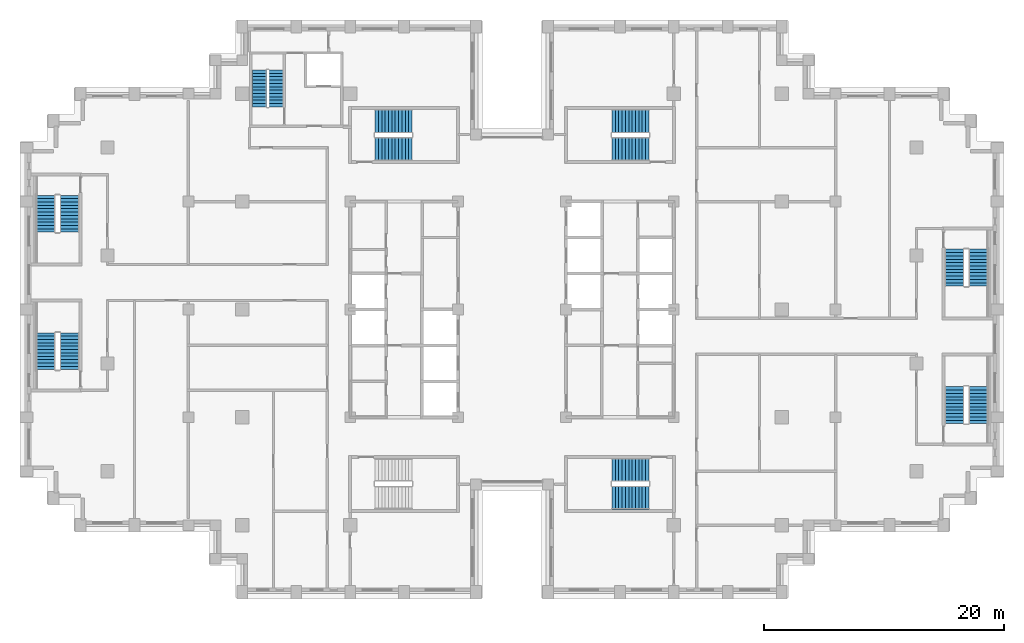
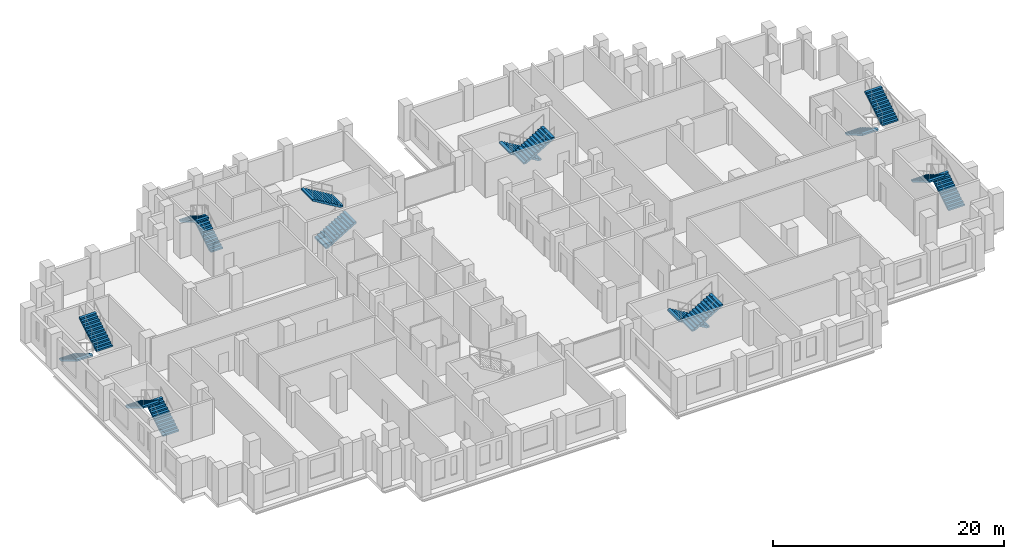
# One storey, part 13 of 15: 16 stair flights, 8 elements without a shape of their own.
"""IFC4 building model written with IfcOpenShell, lengths in metres."""

from ifc_helpers import new_model, si_unit, direction, frame, origin, place, context, subcontext, project, spatial, polyline, outline, extrude, material, type_object, element, aggregate, save


model = new_model("IFC4")

# Units and contexts
model_context = context("Model", 3, precision=1e-05, world=origin(), true_north=direction((0.0, 1.0)))
body_context = subcontext(model_context, "Body", "Model", "MODEL_VIEW")
ifc_project = project(units=[si_unit("LENGTHUNIT", "METRE"), si_unit("AREAUNIT", "SQUARE_METRE"), si_unit("VOLUMEUNIT", "CUBIC_METRE"), si_unit("PLANEANGLEUNIT", "RADIAN"), si_unit("MASSUNIT", "GRAM", prefix="KILO")], contexts=[model_context])

# Site, building, storey
site_placement = place(None, origin())
site = spatial("IfcSite", under=ifc_project, at=site_placement, CompositionType="ELEMENT")
building_placement = place(site_placement, origin())
building = spatial("IfcBuilding", under=site, at=building_placement, Name="Corbelhall Arena Tower", CompositionType="ELEMENT")
storey_placement = place(building_placement, frame((0.0, 0.0, 130.0)))
storey = spatial("IfcBuildingStorey", under=building, at=storey_placement, Name="L24", CompositionType="ELEMENT", Elevation=130.0)

# Stair, stair flights
ifc_material = material(Name="Concrete C40/50", Category="concrete")
stair_type = type_object("IfcStairType", Name="IN-ST-TOWER", PredefinedType="HALF_TURN_STAIR", material=ifc_material)
stair_1_placement = place(storey_placement, origin())
stair_1 = element("IfcStair", 1, at=stair_1_placement, inside=storey, type_object=stair_type, Name="L24 Exit stair ST1", PredefinedType="HALF_TURN_STAIR")
stair_flight_type = type_object("IfcStairFlightType", Name="IN-SFL-RC", PredefinedType="STRAIGHT", material=ifc_material)
stair_flight_1_placement = place(storey_placement, frame((-11.425048828125, 13.39990234375, 0.0), z_axis=(0.0, 0.0, 1.0), x_axis=(1.0, 0.0, 0.0)))
stair_flight_1 = element("IfcStairFlight", 2, at=stair_flight_1_placement, type_object=stair_flight_type, Name="ST1 flight 1", NumberOfRisers=12, NumberOfTreads=11, PredefinedType="STRAIGHT", RiserHeight=0.166666667, TreadLength=0.28, context=body_context, shape_type="SweptSolid", body=[
    extrude(outline(polyline([(0.0, 0.0), (0.0, 0.166748046875), (0.280029296875, 0.166748046875), (0.280029296875, 0.333251953125), (0.56005859375, 0.333251953125), (0.56005859375, 0.5), (0.840087890625, 0.5), (0.840087890625, 0.666748046875), (1.1201171875, 0.666748046875), (1.1201171875, 0.833251953125), (1.39990234375, 0.833251953125), (1.39990234375, 1.0), (1.679931640625, 1.0), (1.679931640625, 1.166748046875), (1.9599609375, 1.166748046875), (1.9599609375, 1.333251953125), (2.239990234375, 1.333251953125), (2.239990234375, 1.5), (2.52001953125, 1.5), (2.52001953125, 1.666748046875), (2.800048828125, 1.666748046875), (2.800048828125, 1.833251953125), (3.080078125, 1.833251953125), (3.080078125, 2.0), (3.080078125, 1.658935546875), (0.29296875, 0.0), (0.0, 0.0)])), frame((0.0, 0.97509765625, 0.0), z_axis=(0.0, -1.0, 0.0), x_axis=(1.0, 0.0, 0.0)), (0.0, 0.0, 1.0), 0.449951171875),
    extrude(outline(polyline([(0.0, 0.0), (0.0, 0.166748046875), (0.280029296875, 0.166748046875), (0.280029296875, 0.333251953125), (0.56005859375, 0.333251953125), (0.56005859375, 0.5), (0.840087890625, 0.5), (0.840087890625, 0.666748046875), (1.1201171875, 0.666748046875), (1.1201171875, 0.833251953125), (1.39990234375, 0.833251953125), (1.39990234375, 1.0), (1.679931640625, 1.0), (1.679931640625, 1.166748046875), (1.9599609375, 1.166748046875), (1.9599609375, 1.333251953125), (2.239990234375, 1.333251953125), (2.239990234375, 1.5), (2.52001953125, 1.5), (2.52001953125, 1.666748046875), (2.800048828125, 1.666748046875), (2.800048828125, 1.833251953125), (3.080078125, 1.833251953125), (3.080078125, 2.0), (3.080078125, 1.658935546875), (0.29296875, 0.0), (0.0, 0.0)])), frame((0.0, 0.52099609375, 0.0), z_axis=(0.0, -1.0, 0.0), x_axis=(1.0, 0.0, 0.0)), (0.0, 0.0, 1.0), 1.0419921875),
    extrude(outline(polyline([(0.0, 0.0), (0.0, 0.166748046875), (0.280029296875, 0.166748046875), (0.280029296875, 0.333251953125), (0.56005859375, 0.333251953125), (0.56005859375, 0.5), (0.840087890625, 0.5), (0.840087890625, 0.666748046875), (1.1201171875, 0.666748046875), (1.1201171875, 0.833251953125), (1.39990234375, 0.833251953125), (1.39990234375, 1.0), (1.679931640625, 1.0), (1.679931640625, 1.166748046875), (1.9599609375, 1.166748046875), (1.9599609375, 1.333251953125), (2.239990234375, 1.333251953125), (2.239990234375, 1.5), (2.52001953125, 1.5), (2.52001953125, 1.666748046875), (2.800048828125, 1.666748046875), (2.800048828125, 1.833251953125), (3.080078125, 1.833251953125), (3.080078125, 2.0), (3.080078125, 1.658935546875), (0.29296875, 0.0), (0.0, 0.0)])), frame((0.0, -0.52490234375, 0.0), z_axis=(0.0, -1.0, 0.0), x_axis=(1.0, 0.0, 0.0)), (0.0, 0.0, 1.0), 0.449951171875),
])
stair_flight_2_placement = place(storey_placement, frame((-8.344970703125, 15.699951171875, 2.0), z_axis=(0.0, 0.0, 1.0), x_axis=(-1.0, 0.0, 0.0)))
stair_flight_2 = element("IfcStairFlight", 3, at=stair_flight_2_placement, type_object=stair_flight_type, Name="ST1 flight 2", NumberOfRisers=12, NumberOfTreads=11, PredefinedType="STRAIGHT", RiserHeight=0.166666667, TreadLength=0.28, context=body_context, shape_type="SweptSolid", body=[
    extrude(outline(polyline([(0.0, 0.0), (0.0, 0.166748046875), (0.280029296875, 0.166748046875), (0.280029296875, 0.333251953125), (0.56005859375, 0.333251953125), (0.56005859375, 0.5), (0.840087890625, 0.5), (0.840087890625, 0.666748046875), (1.1201171875, 0.666748046875), (1.1201171875, 0.833251953125), (1.39990234375, 0.833251953125), (1.39990234375, 1.0), (1.679931640625, 1.0), (1.679931640625, 1.166748046875), (1.9599609375, 1.166748046875), (1.9599609375, 1.333251953125), (2.239990234375, 1.333251953125), (2.239990234375, 1.5), (2.52001953125, 1.5), (2.52001953125, 1.666748046875), (2.800048828125, 1.666748046875), (2.800048828125, 1.833251953125), (3.080078125, 1.833251953125), (3.080078125, 2.0), (3.080078125, 1.658935546875), (0.29296875, 0.0), (0.0, 0.0)])), frame((0.0, 0.97509765625, 0.0), z_axis=(0.0, -1.0, 0.0), x_axis=(1.0, 0.0, 0.0)), (0.0, 0.0, 1.0), 0.449951171875),
    extrude(outline(polyline([(0.0, 0.0), (0.0, 0.166748046875), (0.280029296875, 0.166748046875), (0.280029296875, 0.333251953125), (0.56005859375, 0.333251953125), (0.56005859375, 0.5), (0.840087890625, 0.5), (0.840087890625, 0.666748046875), (1.1201171875, 0.666748046875), (1.1201171875, 0.833251953125), (1.39990234375, 0.833251953125), (1.39990234375, 1.0), (1.679931640625, 1.0), (1.679931640625, 1.166748046875), (1.9599609375, 1.166748046875), (1.9599609375, 1.333251953125), (2.239990234375, 1.333251953125), (2.239990234375, 1.5), (2.52001953125, 1.5), (2.52001953125, 1.666748046875), (2.800048828125, 1.666748046875), (2.800048828125, 1.833251953125), (3.080078125, 1.833251953125), (3.080078125, 2.0), (3.080078125, 1.658935546875), (0.29296875, 0.0), (0.0, 0.0)])), frame((0.0, 0.52099609375, 0.0), z_axis=(0.0, -1.0, 0.0), x_axis=(1.0, 0.0, 0.0)), (0.0, 0.0, 1.0), 1.0419921875),
    extrude(outline(polyline([(0.0, 0.0), (0.0, 0.166748046875), (0.280029296875, 0.166748046875), (0.280029296875, 0.333251953125), (0.56005859375, 0.333251953125), (0.56005859375, 0.5), (0.840087890625, 0.5), (0.840087890625, 0.666748046875), (1.1201171875, 0.666748046875), (1.1201171875, 0.833251953125), (1.39990234375, 0.833251953125), (1.39990234375, 1.0), (1.679931640625, 1.0), (1.679931640625, 1.166748046875), (1.9599609375, 1.166748046875), (1.9599609375, 1.333251953125), (2.239990234375, 1.333251953125), (2.239990234375, 1.5), (2.52001953125, 1.5), (2.52001953125, 1.666748046875), (2.800048828125, 1.666748046875), (2.800048828125, 1.833251953125), (3.080078125, 1.833251953125), (3.080078125, 2.0), (3.080078125, 1.658935546875), (0.29296875, 0.0), (0.0, 0.0)])), frame((0.0, -0.52490234375, 0.0), z_axis=(0.0, -1.0, 0.0), x_axis=(1.0, 0.0, 0.0)), (0.0, 0.0, 1.0), 0.449951171875),
])
aggregate(stair_1, [stair_flight_1, stair_flight_2])

stair_2_placement = place(storey_placement, origin())
stair_2 = element("IfcStair", 4, at=stair_2_placement, inside=storey, type_object=stair_type, Name="L24 Exit stair ST3", PredefinedType="HALF_TURN_STAIR")
stair_flight_3_placement = place(storey_placement, frame((11.425048828125, 15.699951171875, 0.0), z_axis=(0.0, 0.0, 1.0), x_axis=(-1.0, 0.0, 0.0)))
stair_flight_3 = element("IfcStairFlight", 5, at=stair_flight_3_placement, type_object=stair_flight_type, Name="ST3 flight 1", NumberOfRisers=12, NumberOfTreads=11, PredefinedType="STRAIGHT", RiserHeight=0.166666667, TreadLength=0.28, context=body_context, shape_type="SweptSolid", body=[
    extrude(outline(polyline([(0.0, 0.0), (0.0, 0.166748046875), (0.280029296875, 0.166748046875), (0.280029296875, 0.333251953125), (0.56005859375, 0.333251953125), (0.56005859375, 0.5), (0.840087890625, 0.5), (0.840087890625, 0.666748046875), (1.1201171875, 0.666748046875), (1.1201171875, 0.833251953125), (1.39990234375, 0.833251953125), (1.39990234375, 1.0), (1.679931640625, 1.0), (1.679931640625, 1.166748046875), (1.9599609375, 1.166748046875), (1.9599609375, 1.333251953125), (2.239990234375, 1.333251953125), (2.239990234375, 1.5), (2.52001953125, 1.5), (2.52001953125, 1.666748046875), (2.800048828125, 1.666748046875), (2.800048828125, 1.833251953125), (3.080078125, 1.833251953125), (3.080078125, 2.0), (3.080078125, 1.658935546875), (0.29296875, 0.0), (0.0, 0.0)])), frame((0.0, 0.97509765625, 0.0), z_axis=(0.0, -1.0, 0.0), x_axis=(1.0, 0.0, 0.0)), (0.0, 0.0, 1.0), 0.449951171875),
    extrude(outline(polyline([(0.0, 0.0), (0.0, 0.166748046875), (0.280029296875, 0.166748046875), (0.280029296875, 0.333251953125), (0.56005859375, 0.333251953125), (0.56005859375, 0.5), (0.840087890625, 0.5), (0.840087890625, 0.666748046875), (1.1201171875, 0.666748046875), (1.1201171875, 0.833251953125), (1.39990234375, 0.833251953125), (1.39990234375, 1.0), (1.679931640625, 1.0), (1.679931640625, 1.166748046875), (1.9599609375, 1.166748046875), (1.9599609375, 1.333251953125), (2.239990234375, 1.333251953125), (2.239990234375, 1.5), (2.52001953125, 1.5), (2.52001953125, 1.666748046875), (2.800048828125, 1.666748046875), (2.800048828125, 1.833251953125), (3.080078125, 1.833251953125), (3.080078125, 2.0), (3.080078125, 1.658935546875), (0.29296875, 0.0), (0.0, 0.0)])), frame((0.0, 0.52099609375, 0.0), z_axis=(0.0, -1.0, 0.0), x_axis=(1.0, 0.0, 0.0)), (0.0, 0.0, 1.0), 1.0419921875),
    extrude(outline(polyline([(0.0, 0.0), (0.0, 0.166748046875), (0.280029296875, 0.166748046875), (0.280029296875, 0.333251953125), (0.56005859375, 0.333251953125), (0.56005859375, 0.5), (0.840087890625, 0.5), (0.840087890625, 0.666748046875), (1.1201171875, 0.666748046875), (1.1201171875, 0.833251953125), (1.39990234375, 0.833251953125), (1.39990234375, 1.0), (1.679931640625, 1.0), (1.679931640625, 1.166748046875), (1.9599609375, 1.166748046875), (1.9599609375, 1.333251953125), (2.239990234375, 1.333251953125), (2.239990234375, 1.5), (2.52001953125, 1.5), (2.52001953125, 1.666748046875), (2.800048828125, 1.666748046875), (2.800048828125, 1.833251953125), (3.080078125, 1.833251953125), (3.080078125, 2.0), (3.080078125, 1.658935546875), (0.29296875, 0.0), (0.0, 0.0)])), frame((0.0, -0.52490234375, 0.0), z_axis=(0.0, -1.0, 0.0), x_axis=(1.0, 0.0, 0.0)), (0.0, 0.0, 1.0), 0.449951171875),
])
stair_flight_4_placement = place(storey_placement, frame((8.344970703125, 13.39990234375, 2.0), z_axis=(0.0, 0.0, 1.0), x_axis=(1.0, 0.0, 0.0)))
stair_flight_4 = element("IfcStairFlight", 6, at=stair_flight_4_placement, type_object=stair_flight_type, Name="ST3 flight 2", NumberOfRisers=12, NumberOfTreads=11, PredefinedType="STRAIGHT", RiserHeight=0.166666667, TreadLength=0.28, context=body_context, shape_type="SweptSolid", body=[
    extrude(outline(polyline([(0.0, 0.0), (0.0, 0.166748046875), (0.280029296875, 0.166748046875), (0.280029296875, 0.333251953125), (0.56005859375, 0.333251953125), (0.56005859375, 0.5), (0.840087890625, 0.5), (0.840087890625, 0.666748046875), (1.1201171875, 0.666748046875), (1.1201171875, 0.833251953125), (1.39990234375, 0.833251953125), (1.39990234375, 1.0), (1.679931640625, 1.0), (1.679931640625, 1.166748046875), (1.9599609375, 1.166748046875), (1.9599609375, 1.333251953125), (2.239990234375, 1.333251953125), (2.239990234375, 1.5), (2.52001953125, 1.5), (2.52001953125, 1.666748046875), (2.800048828125, 1.666748046875), (2.800048828125, 1.833251953125), (3.080078125, 1.833251953125), (3.080078125, 2.0), (3.080078125, 1.658935546875), (0.29296875, 0.0), (0.0, 0.0)])), frame((0.0, 0.97509765625, 0.0), z_axis=(0.0, -1.0, 0.0), x_axis=(1.0, 0.0, 0.0)), (0.0, 0.0, 1.0), 0.449951171875),
    extrude(outline(polyline([(0.0, 0.0), (0.0, 0.166748046875), (0.280029296875, 0.166748046875), (0.280029296875, 0.333251953125), (0.56005859375, 0.333251953125), (0.56005859375, 0.5), (0.840087890625, 0.5), (0.840087890625, 0.666748046875), (1.1201171875, 0.666748046875), (1.1201171875, 0.833251953125), (1.39990234375, 0.833251953125), (1.39990234375, 1.0), (1.679931640625, 1.0), (1.679931640625, 1.166748046875), (1.9599609375, 1.166748046875), (1.9599609375, 1.333251953125), (2.239990234375, 1.333251953125), (2.239990234375, 1.5), (2.52001953125, 1.5), (2.52001953125, 1.666748046875), (2.800048828125, 1.666748046875), (2.800048828125, 1.833251953125), (3.080078125, 1.833251953125), (3.080078125, 2.0), (3.080078125, 1.658935546875), (0.29296875, 0.0), (0.0, 0.0)])), frame((0.0, 0.52099609375, 0.0), z_axis=(0.0, -1.0, 0.0), x_axis=(1.0, 0.0, 0.0)), (0.0, 0.0, 1.0), 1.0419921875),
    extrude(outline(polyline([(0.0, 0.0), (0.0, 0.166748046875), (0.280029296875, 0.166748046875), (0.280029296875, 0.333251953125), (0.56005859375, 0.333251953125), (0.56005859375, 0.5), (0.840087890625, 0.5), (0.840087890625, 0.666748046875), (1.1201171875, 0.666748046875), (1.1201171875, 0.833251953125), (1.39990234375, 0.833251953125), (1.39990234375, 1.0), (1.679931640625, 1.0), (1.679931640625, 1.166748046875), (1.9599609375, 1.166748046875), (1.9599609375, 1.333251953125), (2.239990234375, 1.333251953125), (2.239990234375, 1.5), (2.52001953125, 1.5), (2.52001953125, 1.666748046875), (2.800048828125, 1.666748046875), (2.800048828125, 1.833251953125), (3.080078125, 1.833251953125), (3.080078125, 2.0), (3.080078125, 1.658935546875), (0.29296875, 0.0), (0.0, 0.0)])), frame((0.0, -0.52490234375, 0.0), z_axis=(0.0, -1.0, 0.0), x_axis=(1.0, 0.0, 0.0)), (0.0, 0.0, 1.0), 0.449951171875),
])
aggregate(stair_2, [stair_flight_3, stair_flight_4])

stair_3_placement = place(storey_placement, origin())
stair_3 = element("IfcStair", 7, at=stair_3_placement, inside=storey, type_object=stair_type, Name="L24 Exit stair ST4", PredefinedType="HALF_TURN_STAIR")
stair_flight_5_placement = place(storey_placement, frame((11.425048828125, -13.39990234375, 0.0), z_axis=(0.0, 0.0, 1.0), x_axis=(-1.0, 0.0, 0.0)))
stair_flight_5 = element("IfcStairFlight", 8, at=stair_flight_5_placement, type_object=stair_flight_type, Name="ST4 flight 1", NumberOfRisers=12, NumberOfTreads=11, PredefinedType="STRAIGHT", RiserHeight=0.166666667, TreadLength=0.28, context=body_context, shape_type="SweptSolid", body=[
    extrude(outline(polyline([(0.0, 0.0), (0.0, 0.166748046875), (0.280029296875, 0.166748046875), (0.280029296875, 0.333251953125), (0.56005859375, 0.333251953125), (0.56005859375, 0.5), (0.840087890625, 0.5), (0.840087890625, 0.666748046875), (1.1201171875, 0.666748046875), (1.1201171875, 0.833251953125), (1.39990234375, 0.833251953125), (1.39990234375, 1.0), (1.679931640625, 1.0), (1.679931640625, 1.166748046875), (1.9599609375, 1.166748046875), (1.9599609375, 1.333251953125), (2.239990234375, 1.333251953125), (2.239990234375, 1.5), (2.52001953125, 1.5), (2.52001953125, 1.666748046875), (2.800048828125, 1.666748046875), (2.800048828125, 1.833251953125), (3.080078125, 1.833251953125), (3.080078125, 2.0), (3.080078125, 1.658935546875), (0.29296875, 0.0), (0.0, 0.0)])), frame((0.0, 0.97509765625, 0.0), z_axis=(0.0, -1.0, 0.0), x_axis=(1.0, 0.0, 0.0)), (0.0, 0.0, 1.0), 0.449951171875),
    extrude(outline(polyline([(0.0, 0.0), (0.0, 0.166748046875), (0.280029296875, 0.166748046875), (0.280029296875, 0.333251953125), (0.56005859375, 0.333251953125), (0.56005859375, 0.5), (0.840087890625, 0.5), (0.840087890625, 0.666748046875), (1.1201171875, 0.666748046875), (1.1201171875, 0.833251953125), (1.39990234375, 0.833251953125), (1.39990234375, 1.0), (1.679931640625, 1.0), (1.679931640625, 1.166748046875), (1.9599609375, 1.166748046875), (1.9599609375, 1.333251953125), (2.239990234375, 1.333251953125), (2.239990234375, 1.5), (2.52001953125, 1.5), (2.52001953125, 1.666748046875), (2.800048828125, 1.666748046875), (2.800048828125, 1.833251953125), (3.080078125, 1.833251953125), (3.080078125, 2.0), (3.080078125, 1.658935546875), (0.29296875, 0.0), (0.0, 0.0)])), frame((0.0, 0.52099609375, 0.0), z_axis=(0.0, -1.0, 0.0), x_axis=(1.0, 0.0, 0.0)), (0.0, 0.0, 1.0), 1.0419921875),
    extrude(outline(polyline([(0.0, 0.0), (0.0, 0.166748046875), (0.280029296875, 0.166748046875), (0.280029296875, 0.333251953125), (0.56005859375, 0.333251953125), (0.56005859375, 0.5), (0.840087890625, 0.5), (0.840087890625, 0.666748046875), (1.1201171875, 0.666748046875), (1.1201171875, 0.833251953125), (1.39990234375, 0.833251953125), (1.39990234375, 1.0), (1.679931640625, 1.0), (1.679931640625, 1.166748046875), (1.9599609375, 1.166748046875), (1.9599609375, 1.333251953125), (2.239990234375, 1.333251953125), (2.239990234375, 1.5), (2.52001953125, 1.5), (2.52001953125, 1.666748046875), (2.800048828125, 1.666748046875), (2.800048828125, 1.833251953125), (3.080078125, 1.833251953125), (3.080078125, 2.0), (3.080078125, 1.658935546875), (0.29296875, 0.0), (0.0, 0.0)])), frame((0.0, -0.52490234375, 0.0), z_axis=(0.0, -1.0, 0.0), x_axis=(1.0, 0.0, 0.0)), (0.0, 0.0, 1.0), 0.449951171875),
])
stair_flight_6_placement = place(storey_placement, frame((8.344970703125, -15.699951171875, 2.0), z_axis=(0.0, 0.0, 1.0), x_axis=(1.0, 0.0, 0.0)))
stair_flight_6 = element("IfcStairFlight", 9, at=stair_flight_6_placement, type_object=stair_flight_type, Name="ST4 flight 2", NumberOfRisers=12, NumberOfTreads=11, PredefinedType="STRAIGHT", RiserHeight=0.166666667, TreadLength=0.28, context=body_context, shape_type="SweptSolid", body=[
    extrude(outline(polyline([(0.0, 0.0), (0.0, 0.166748046875), (0.280029296875, 0.166748046875), (0.280029296875, 0.333251953125), (0.56005859375, 0.333251953125), (0.56005859375, 0.5), (0.840087890625, 0.5), (0.840087890625, 0.666748046875), (1.1201171875, 0.666748046875), (1.1201171875, 0.833251953125), (1.39990234375, 0.833251953125), (1.39990234375, 1.0), (1.679931640625, 1.0), (1.679931640625, 1.166748046875), (1.9599609375, 1.166748046875), (1.9599609375, 1.333251953125), (2.239990234375, 1.333251953125), (2.239990234375, 1.5), (2.52001953125, 1.5), (2.52001953125, 1.666748046875), (2.800048828125, 1.666748046875), (2.800048828125, 1.833251953125), (3.080078125, 1.833251953125), (3.080078125, 2.0), (3.080078125, 1.658935546875), (0.29296875, 0.0), (0.0, 0.0)])), frame((0.0, 0.97509765625, 0.0), z_axis=(0.0, -1.0, 0.0), x_axis=(1.0, 0.0, 0.0)), (0.0, 0.0, 1.0), 0.449951171875),
    extrude(outline(polyline([(0.0, 0.0), (0.0, 0.166748046875), (0.280029296875, 0.166748046875), (0.280029296875, 0.333251953125), (0.56005859375, 0.333251953125), (0.56005859375, 0.5), (0.840087890625, 0.5), (0.840087890625, 0.666748046875), (1.1201171875, 0.666748046875), (1.1201171875, 0.833251953125), (1.39990234375, 0.833251953125), (1.39990234375, 1.0), (1.679931640625, 1.0), (1.679931640625, 1.166748046875), (1.9599609375, 1.166748046875), (1.9599609375, 1.333251953125), (2.239990234375, 1.333251953125), (2.239990234375, 1.5), (2.52001953125, 1.5), (2.52001953125, 1.666748046875), (2.800048828125, 1.666748046875), (2.800048828125, 1.833251953125), (3.080078125, 1.833251953125), (3.080078125, 2.0), (3.080078125, 1.658935546875), (0.29296875, 0.0), (0.0, 0.0)])), frame((0.0, 0.52099609375, 0.0), z_axis=(0.0, -1.0, 0.0), x_axis=(1.0, 0.0, 0.0)), (0.0, 0.0, 1.0), 1.0419921875),
    extrude(outline(polyline([(0.0, 0.0), (0.0, 0.166748046875), (0.280029296875, 0.166748046875), (0.280029296875, 0.333251953125), (0.56005859375, 0.333251953125), (0.56005859375, 0.5), (0.840087890625, 0.5), (0.840087890625, 0.666748046875), (1.1201171875, 0.666748046875), (1.1201171875, 0.833251953125), (1.39990234375, 0.833251953125), (1.39990234375, 1.0), (1.679931640625, 1.0), (1.679931640625, 1.166748046875), (1.9599609375, 1.166748046875), (1.9599609375, 1.333251953125), (2.239990234375, 1.333251953125), (2.239990234375, 1.5), (2.52001953125, 1.5), (2.52001953125, 1.666748046875), (2.800048828125, 1.666748046875), (2.800048828125, 1.833251953125), (3.080078125, 1.833251953125), (3.080078125, 2.0), (3.080078125, 1.658935546875), (0.29296875, 0.0), (0.0, 0.0)])), frame((0.0, -0.52490234375, 0.0), z_axis=(0.0, -1.0, 0.0), x_axis=(1.0, 0.0, 0.0)), (0.0, 0.0, 1.0), 0.449951171875),
])
aggregate(stair_3, [stair_flight_5, stair_flight_6])

stair_4_placement = place(storey_placement, origin())
stair_4 = element("IfcStair", 10, at=stair_4_placement, inside=storey, type_object=stair_type, Name="L24 Exit stair SC1", PredefinedType="HALF_TURN_STAIR")
stair_flight_7_placement = place(storey_placement, frame((-38.89990234375, 9.52490234375, 0.0), z_axis=(0.0, 0.0, 1.0), x_axis=(0.0, -1.0, 0.0)))
stair_flight_7 = element("IfcStairFlight", 11, at=stair_flight_7_placement, type_object=stair_flight_type, Name="SC1 flight 1", NumberOfRisers=12, NumberOfTreads=11, PredefinedType="STRAIGHT", RiserHeight=0.166666667, TreadLength=0.28, context=body_context, shape_type="SweptSolid", body=[
    extrude(outline(polyline([(0.0, 0.0), (0.0, 0.166748046875), (0.280029296875, 0.166748046875), (0.280029296875, 0.333251953125), (0.56005859375, 0.333251953125), (0.56005859375, 0.5), (0.840087890625, 0.5), (0.840087890625, 0.666748046875), (1.1201171875, 0.666748046875), (1.1201171875, 0.833251953125), (1.39990234375, 0.833251953125), (1.39990234375, 1.0), (1.679931640625, 1.0), (1.679931640625, 1.166748046875), (1.9599609375, 1.166748046875), (1.9599609375, 1.333251953125), (2.239990234375, 1.333251953125), (2.239990234375, 1.5), (2.52001953125, 1.5), (2.52001953125, 1.666748046875), (2.800048828125, 1.666748046875), (2.800048828125, 1.833251953125), (3.080078125, 1.833251953125), (3.080078125, 2.0), (3.080078125, 1.658935546875), (0.29296875, 0.0), (0.0, 0.0)])), frame((0.0, 0.800048828125, 0.0), z_axis=(0.0, -1.0, 0.0), x_axis=(1.0, 0.0, 0.0)), (0.0, 0.0, 1.0), 1.60009765625),
])
stair_flight_8_placement = place(storey_placement, frame((-36.925048828125, 6.445068359375, 2.0), z_axis=(0.0, 0.0, 1.0), x_axis=(0.0, 1.0, 0.0)))
stair_flight_8 = element("IfcStairFlight", 12, at=stair_flight_8_placement, type_object=stair_flight_type, Name="SC1 flight 2", NumberOfRisers=12, NumberOfTreads=11, PredefinedType="STRAIGHT", RiserHeight=0.166666667, TreadLength=0.28, context=body_context, shape_type="SweptSolid", body=[
    extrude(outline(polyline([(0.0, 0.0), (0.0, 0.166748046875), (0.280029296875, 0.166748046875), (0.280029296875, 0.333251953125), (0.56005859375, 0.333251953125), (0.56005859375, 0.5), (0.840087890625, 0.5), (0.840087890625, 0.666748046875), (1.1201171875, 0.666748046875), (1.1201171875, 0.833251953125), (1.39990234375, 0.833251953125), (1.39990234375, 1.0), (1.679931640625, 1.0), (1.679931640625, 1.166748046875), (1.9599609375, 1.166748046875), (1.9599609375, 1.333251953125), (2.239990234375, 1.333251953125), (2.239990234375, 1.5), (2.52001953125, 1.5), (2.52001953125, 1.666748046875), (2.800048828125, 1.666748046875), (2.800048828125, 1.833251953125), (3.080078125, 1.833251953125), (3.080078125, 2.0), (3.080078125, 1.658935546875), (0.29296875, 0.0), (0.0, 0.0)])), frame((0.0, 0.800048828125, 0.0), z_axis=(0.0, -1.0, 0.0), x_axis=(1.0, 0.0, 0.0)), (0.0, 0.0, 1.0), 1.60009765625),
])
aggregate(stair_4, [stair_flight_7, stair_flight_8])

stair_5_placement = place(storey_placement, origin())
stair_5 = element("IfcStair", 13, at=stair_5_placement, inside=storey, type_object=stair_type, Name="L24 Exit stair SC2", PredefinedType="HALF_TURN_STAIR")
stair_flight_9_placement = place(storey_placement, frame((-36.925048828125, -5.02490234375, 0.0), z_axis=(0.0, 0.0, 1.0), x_axis=(0.0, 1.0, 0.0)))
stair_flight_9 = element("IfcStairFlight", 14, at=stair_flight_9_placement, type_object=stair_flight_type, Name="SC2 flight 1", NumberOfRisers=12, NumberOfTreads=11, PredefinedType="STRAIGHT", RiserHeight=0.166666667, TreadLength=0.28, context=body_context, shape_type="SweptSolid", body=[
    extrude(outline(polyline([(0.0, 0.0), (0.0, 0.166748046875), (0.280029296875, 0.166748046875), (0.280029296875, 0.333251953125), (0.56005859375, 0.333251953125), (0.56005859375, 0.5), (0.840087890625, 0.5), (0.840087890625, 0.666748046875), (1.1201171875, 0.666748046875), (1.1201171875, 0.833251953125), (1.39990234375, 0.833251953125), (1.39990234375, 1.0), (1.679931640625, 1.0), (1.679931640625, 1.166748046875), (1.9599609375, 1.166748046875), (1.9599609375, 1.333251953125), (2.239990234375, 1.333251953125), (2.239990234375, 1.5), (2.52001953125, 1.5), (2.52001953125, 1.666748046875), (2.800048828125, 1.666748046875), (2.800048828125, 1.833251953125), (3.080078125, 1.833251953125), (3.080078125, 2.0), (3.080078125, 1.658935546875), (0.29296875, 0.0), (0.0, 0.0)])), frame((0.0, 0.800048828125, 0.0), z_axis=(0.0, -1.0, 0.0), x_axis=(1.0, 0.0, 0.0)), (0.0, 0.0, 1.0), 1.60009765625),
])
stair_flight_10_placement = place(storey_placement, frame((-38.89990234375, -1.945068359375, 2.0), z_axis=(0.0, 0.0, 1.0), x_axis=(0.0, -1.0, 0.0)))
stair_flight_10 = element("IfcStairFlight", 15, at=stair_flight_10_placement, type_object=stair_flight_type, Name="SC2 flight 2", NumberOfRisers=12, NumberOfTreads=11, PredefinedType="STRAIGHT", RiserHeight=0.166666667, TreadLength=0.28, context=body_context, shape_type="SweptSolid", body=[
    extrude(outline(polyline([(0.0, 0.0), (0.0, 0.166748046875), (0.280029296875, 0.166748046875), (0.280029296875, 0.333251953125), (0.56005859375, 0.333251953125), (0.56005859375, 0.5), (0.840087890625, 0.5), (0.840087890625, 0.666748046875), (1.1201171875, 0.666748046875), (1.1201171875, 0.833251953125), (1.39990234375, 0.833251953125), (1.39990234375, 1.0), (1.679931640625, 1.0), (1.679931640625, 1.166748046875), (1.9599609375, 1.166748046875), (1.9599609375, 1.333251953125), (2.239990234375, 1.333251953125), (2.239990234375, 1.5), (2.52001953125, 1.5), (2.52001953125, 1.666748046875), (2.800048828125, 1.666748046875), (2.800048828125, 1.833251953125), (3.080078125, 1.833251953125), (3.080078125, 2.0), (3.080078125, 1.658935546875), (0.29296875, 0.0), (0.0, 0.0)])), frame((0.0, 0.800048828125, 0.0), z_axis=(0.0, -1.0, 0.0), x_axis=(1.0, 0.0, 0.0)), (0.0, 0.0, 1.0), 1.60009765625),
])
aggregate(stair_5, [stair_flight_9, stair_flight_10])

stair_6_placement = place(storey_placement, origin())
stair_6 = element("IfcStair", 16, at=stair_6_placement, inside=storey, type_object=stair_type, Name="L24 Exit stair SD1", PredefinedType="HALF_TURN_STAIR")
stair_flight_11_placement = place(storey_placement, frame((38.89990234375, -9.52490234375, 0.0), z_axis=(0.0, 0.0, 1.0), x_axis=(0.0, 1.0, 0.0)))
stair_flight_11 = element("IfcStairFlight", 17, at=stair_flight_11_placement, type_object=stair_flight_type, Name="SD1 flight 1", NumberOfRisers=12, NumberOfTreads=11, PredefinedType="STRAIGHT", RiserHeight=0.166666667, TreadLength=0.28, context=body_context, shape_type="SweptSolid", body=[
    extrude(outline(polyline([(0.0, 0.0), (0.0, 0.166748046875), (0.280029296875, 0.166748046875), (0.280029296875, 0.333251953125), (0.56005859375, 0.333251953125), (0.56005859375, 0.5), (0.840087890625, 0.5), (0.840087890625, 0.666748046875), (1.1201171875, 0.666748046875), (1.1201171875, 0.833251953125), (1.39990234375, 0.833251953125), (1.39990234375, 1.0), (1.679931640625, 1.0), (1.679931640625, 1.166748046875), (1.9599609375, 1.166748046875), (1.9599609375, 1.333251953125), (2.239990234375, 1.333251953125), (2.239990234375, 1.5), (2.52001953125, 1.5), (2.52001953125, 1.666748046875), (2.800048828125, 1.666748046875), (2.800048828125, 1.833251953125), (3.080078125, 1.833251953125), (3.080078125, 2.0), (3.080078125, 1.658935546875), (0.29296875, 0.0), (0.0, 0.0)])), frame((0.0, 0.800048828125, 0.0), z_axis=(0.0, -1.0, 0.0), x_axis=(1.0, 0.0, 0.0)), (0.0, 0.0, 1.0), 1.60009765625),
])
stair_flight_12_placement = place(storey_placement, frame((36.925048828125, -6.445068359375, 2.0), z_axis=(0.0, 0.0, 1.0), x_axis=(0.0, -1.0, 0.0)))
stair_flight_12 = element("IfcStairFlight", 18, at=stair_flight_12_placement, type_object=stair_flight_type, Name="SD1 flight 2", NumberOfRisers=12, NumberOfTreads=11, PredefinedType="STRAIGHT", RiserHeight=0.166666667, TreadLength=0.28, context=body_context, shape_type="SweptSolid", body=[
    extrude(outline(polyline([(0.0, 0.0), (0.0, 0.166748046875), (0.280029296875, 0.166748046875), (0.280029296875, 0.333251953125), (0.56005859375, 0.333251953125), (0.56005859375, 0.5), (0.840087890625, 0.5), (0.840087890625, 0.666748046875), (1.1201171875, 0.666748046875), (1.1201171875, 0.833251953125), (1.39990234375, 0.833251953125), (1.39990234375, 1.0), (1.679931640625, 1.0), (1.679931640625, 1.166748046875), (1.9599609375, 1.166748046875), (1.9599609375, 1.333251953125), (2.239990234375, 1.333251953125), (2.239990234375, 1.5), (2.52001953125, 1.5), (2.52001953125, 1.666748046875), (2.800048828125, 1.666748046875), (2.800048828125, 1.833251953125), (3.080078125, 1.833251953125), (3.080078125, 2.0), (3.080078125, 1.658935546875), (0.29296875, 0.0), (0.0, 0.0)])), frame((0.0, 0.800048828125, 0.0), z_axis=(0.0, -1.0, 0.0), x_axis=(1.0, 0.0, 0.0)), (0.0, 0.0, 1.0), 1.60009765625),
])
aggregate(stair_6, [stair_flight_11, stair_flight_12])

stair_7_placement = place(storey_placement, origin())
stair_7 = element("IfcStair", 19, at=stair_7_placement, inside=storey, type_object=stair_type, Name="L24 Exit stair SD2", PredefinedType="HALF_TURN_STAIR")
stair_flight_13_placement = place(storey_placement, frame((36.925048828125, 5.02490234375, 0.0), z_axis=(0.0, 0.0, 1.0), x_axis=(0.0, -1.0, 0.0)))
stair_flight_13 = element("IfcStairFlight", 20, at=stair_flight_13_placement, type_object=stair_flight_type, Name="SD2 flight 1", NumberOfRisers=12, NumberOfTreads=11, PredefinedType="STRAIGHT", RiserHeight=0.166666667, TreadLength=0.28, context=body_context, shape_type="SweptSolid", body=[
    extrude(outline(polyline([(0.0, 0.0), (0.0, 0.166748046875), (0.280029296875, 0.166748046875), (0.280029296875, 0.333251953125), (0.56005859375, 0.333251953125), (0.56005859375, 0.5), (0.840087890625, 0.5), (0.840087890625, 0.666748046875), (1.1201171875, 0.666748046875), (1.1201171875, 0.833251953125), (1.39990234375, 0.833251953125), (1.39990234375, 1.0), (1.679931640625, 1.0), (1.679931640625, 1.166748046875), (1.9599609375, 1.166748046875), (1.9599609375, 1.333251953125), (2.239990234375, 1.333251953125), (2.239990234375, 1.5), (2.52001953125, 1.5), (2.52001953125, 1.666748046875), (2.800048828125, 1.666748046875), (2.800048828125, 1.833251953125), (3.080078125, 1.833251953125), (3.080078125, 2.0), (3.080078125, 1.658935546875), (0.29296875, 0.0), (0.0, 0.0)])), frame((0.0, 0.800048828125, 0.0), z_axis=(0.0, -1.0, 0.0), x_axis=(1.0, 0.0, 0.0)), (0.0, 0.0, 1.0), 1.60009765625),
])
stair_flight_14_placement = place(storey_placement, frame((38.89990234375, 1.945068359375, 2.0), z_axis=(0.0, 0.0, 1.0), x_axis=(0.0, 1.0, 0.0)))
stair_flight_14 = element("IfcStairFlight", 21, at=stair_flight_14_placement, type_object=stair_flight_type, Name="SD2 flight 2", NumberOfRisers=12, NumberOfTreads=11, PredefinedType="STRAIGHT", RiserHeight=0.166666667, TreadLength=0.28, context=body_context, shape_type="SweptSolid", body=[
    extrude(outline(polyline([(0.0, 0.0), (0.0, 0.166748046875), (0.280029296875, 0.166748046875), (0.280029296875, 0.333251953125), (0.56005859375, 0.333251953125), (0.56005859375, 0.5), (0.840087890625, 0.5), (0.840087890625, 0.666748046875), (1.1201171875, 0.666748046875), (1.1201171875, 0.833251953125), (1.39990234375, 0.833251953125), (1.39990234375, 1.0), (1.679931640625, 1.0), (1.679931640625, 1.166748046875), (1.9599609375, 1.166748046875), (1.9599609375, 1.333251953125), (2.239990234375, 1.333251953125), (2.239990234375, 1.5), (2.52001953125, 1.5), (2.52001953125, 1.666748046875), (2.800048828125, 1.666748046875), (2.800048828125, 1.833251953125), (3.080078125, 1.833251953125), (3.080078125, 2.0), (3.080078125, 1.658935546875), (0.29296875, 0.0), (0.0, 0.0)])), frame((0.0, 0.800048828125, 0.0), z_axis=(0.0, -1.0, 0.0), x_axis=(1.0, 0.0, 0.0)), (0.0, 0.0, 1.0), 1.60009765625),
])
aggregate(stair_7, [stair_flight_13, stair_flight_14])

stair_8_placement = place(storey_placement, origin())
stair_8 = element("IfcStair", 22, at=stair_8_placement, inside=storey, type_object=stair_type, Name="L24 Exit stair ST5", PredefinedType="HALF_TURN_STAIR")
stair_flight_15_placement = place(storey_placement, frame((-19.695068359375, 16.89990234375, 0.0), z_axis=(0.0, 0.0, 1.0), x_axis=(0.0, 1.0, 0.0)))
stair_flight_15 = element("IfcStairFlight", 23, at=stair_flight_15_placement, type_object=stair_flight_type, Name="ST5 flight 1", NumberOfRisers=12, NumberOfTreads=11, PredefinedType="STRAIGHT", RiserHeight=0.166666667, TreadLength=0.28, context=body_context, shape_type="SweptSolid", body=[
    extrude(outline(polyline([(0.0, 0.0), (0.0, 0.166748046875), (0.280029296875, 0.166748046875), (0.280029296875, 0.333251953125), (0.56005859375, 0.333251953125), (0.56005859375, 0.5), (0.840087890625, 0.5), (0.840087890625, 0.666748046875), (1.1201171875, 0.666748046875), (1.1201171875, 0.833251953125), (1.39990234375, 0.833251953125), (1.39990234375, 1.0), (1.679931640625, 1.0), (1.679931640625, 1.166748046875), (1.9599609375, 1.166748046875), (1.9599609375, 1.333251953125), (2.239990234375, 1.333251953125), (2.239990234375, 1.5), (2.52001953125, 1.5), (2.52001953125, 1.666748046875), (2.800048828125, 1.666748046875), (2.800048828125, 1.833251953125), (3.080078125, 1.833251953125), (3.080078125, 2.0), (3.080078125, 1.658935546875), (0.29296875, 0.0), (0.0, 0.0)])), frame((0.0, 0.60009765625, 0.0), z_axis=(0.0, -1.0, 0.0), x_axis=(1.0, 0.0, 0.0)), (0.0, 0.0, 1.0), 1.199951171875),
])
stair_flight_16_placement = place(storey_placement, frame((-21.094970703125, 19.97998046875, 2.0), z_axis=(0.0, 0.0, 1.0), x_axis=(0.0, -1.0, 0.0)))
stair_flight_16 = element("IfcStairFlight", 24, at=stair_flight_16_placement, type_object=stair_flight_type, Name="ST5 flight 2", NumberOfRisers=12, NumberOfTreads=11, PredefinedType="STRAIGHT", RiserHeight=0.166666667, TreadLength=0.28, context=body_context, shape_type="SweptSolid", body=[
    extrude(outline(polyline([(0.0, 0.0), (0.0, 0.166748046875), (0.280029296875, 0.166748046875), (0.280029296875, 0.333251953125), (0.56005859375, 0.333251953125), (0.56005859375, 0.5), (0.840087890625, 0.5), (0.840087890625, 0.666748046875), (1.1201171875, 0.666748046875), (1.1201171875, 0.833251953125), (1.39990234375, 0.833251953125), (1.39990234375, 1.0), (1.679931640625, 1.0), (1.679931640625, 1.166748046875), (1.9599609375, 1.166748046875), (1.9599609375, 1.333251953125), (2.239990234375, 1.333251953125), (2.239990234375, 1.5), (2.52001953125, 1.5), (2.52001953125, 1.666748046875), (2.800048828125, 1.666748046875), (2.800048828125, 1.833251953125), (3.080078125, 1.833251953125), (3.080078125, 2.0), (3.080078125, 1.658935546875), (0.29296875, 0.0), (0.0, 0.0)])), frame((0.0, 0.60009765625, 0.0), z_axis=(0.0, -1.0, 0.0), x_axis=(1.0, 0.0, 0.0)), (0.0, 0.0, 1.0), 1.199951171875),
])
aggregate(stair_8, [stair_flight_15, stair_flight_16])

save(model, "model.ifc")
